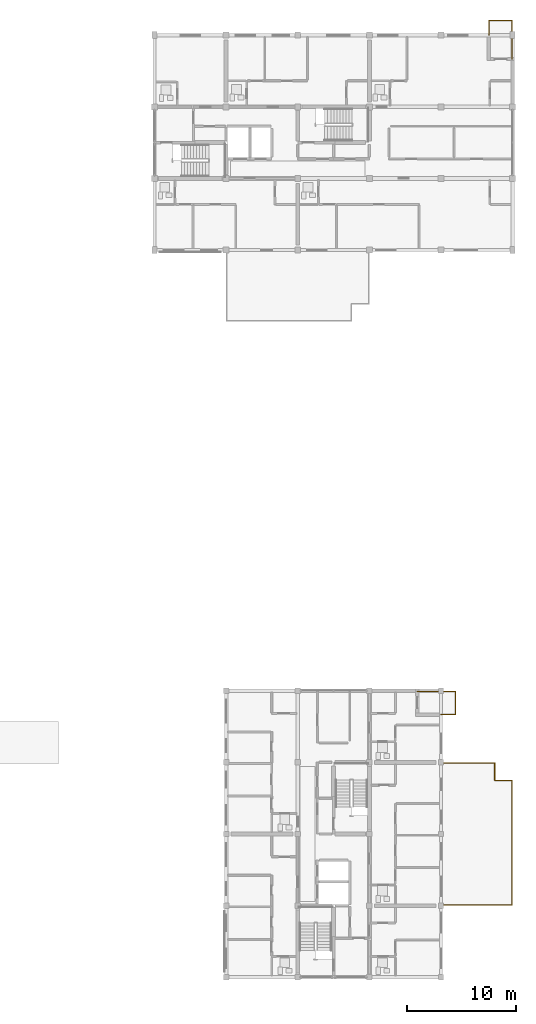
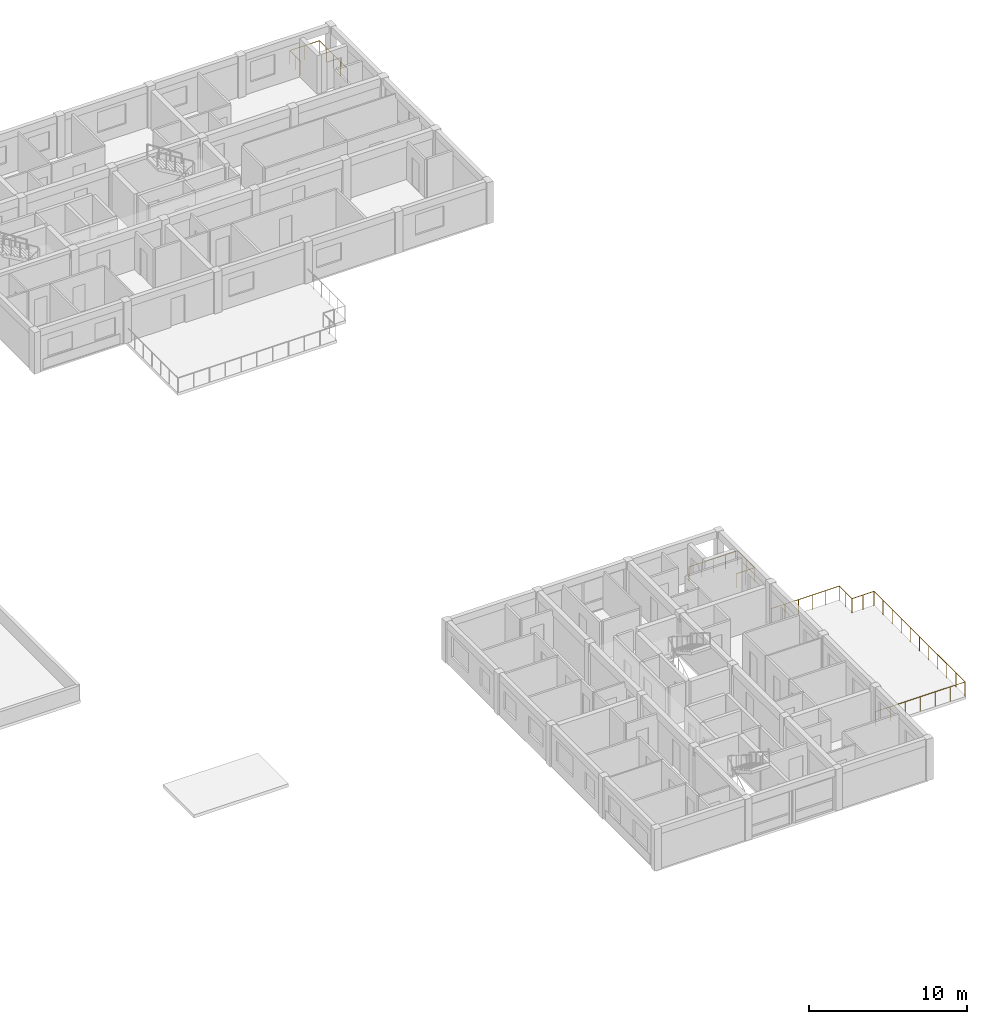
# One storey, part 50 of 51: 3 railings.
"""IFC4 building model written with IfcOpenShell, lengths in metres."""

from ifc_helpers import new_model, si_unit, direction, frame, origin, origin_2d, place, context, subcontext, project, spatial, circle, extrude, material, type_object, element, save


model = new_model("IFC4")

# Units and contexts
model_context = context("Model", 3, precision=1e-05, world=origin(), true_north=direction((0.0, 1.0)))
body_context = subcontext(model_context, "Body", "Model", "MODEL_VIEW")
ifc_project = project(units=[si_unit("LENGTHUNIT", "METRE"), si_unit("AREAUNIT", "SQUARE_METRE"), si_unit("VOLUMEUNIT", "CUBIC_METRE"), si_unit("PLANEANGLEUNIT", "RADIAN"), si_unit("MASSUNIT", "GRAM", prefix="KILO")], contexts=[model_context])

# Site, building, storey
site_placement = place(None, origin())
site = spatial("IfcSite", under=ifc_project, at=site_placement, CompositionType="ELEMENT")
building_placement = place(site_placement, origin())
building = spatial("IfcBuilding", under=site, at=building_placement, Name="Kernevlak Ridge Housing Community", CompositionType="ELEMENT")
storey_placement = place(building_placement, frame((0.0, 0.0, 8.39990234375)))
storey = spatial("IfcBuildingStorey", under=building, at=storey_placement, Name="L02", CompositionType="ELEMENT", Elevation=8.39990234375)

# Railings
ifc_material = material(Name="Steel S355", Category="steel")
railing_type_1 = type_object("IfcRailingType", Name="BL-01", PredefinedType="BALUSTRADE", material=ifc_material)
railing_1_placement = place(storey_placement, frame((150.199951171875, 102.39990234375, 0.0)))
element("IfcRailing", 1, at=railing_1_placement, inside=storey, type_object=railing_type_1, Name="Block B L02 balcony balustrade BL-01 19", PredefinedType="BALUSTRADE", context=body_context, shape_type="SweptSolid", body=[
    extrude(circle(Radius=0.02392578125, at=origin_2d()), frame((0.0, 0.0, 1.076171875), z_axis=(0.0, 1.0, 0.0), x_axis=(-1.0, 0.0, 0.0)), (0.0, 0.0, 1.0), 1.35009765625),
    extrude(circle(Radius=0.02392578125, at=origin_2d()), frame((0.0, 1.35009765625, 1.076171875), z_axis=(1.0, 0.0, 0.0), x_axis=(0.0, 1.0, 0.0)), (0.0, 0.0, 1.0), 2.150146484375),
    extrude(circle(Radius=0.02392578125, at=origin_2d()), frame((2.150146484375, 1.35009765625, 1.076171875), z_axis=(0.0, -1.0, 0.0), x_axis=(1.0, 0.0, 0.0)), (0.0, 0.0, 1.0), 3.550048828125),
    extrude(circle(Radius=0.02099609375, at=origin_2d()), origin(), (0.0, 0.0, 1.0), 1.052001953125),
    extrude(circle(Radius=0.02099609375, at=origin_2d()), frame((0.0, 0.675048828125, 0.0)), (0.0, 0.0, 1.0), 1.052001953125),
    extrude(circle(Radius=0.02099609375, at=origin_2d()), frame((0.0, 1.35009765625, 0.0)), (0.0, 0.0, 1.0), 1.052001953125),
    extrude(circle(Radius=0.02099609375, at=origin_2d()), frame((1.0751953125, 1.35009765625, 0.0)), (0.0, 0.0, 1.0), 1.052001953125),
    extrude(circle(Radius=0.02099609375, at=origin_2d()), frame((2.150146484375, 1.35009765625, 0.0)), (0.0, 0.0, 1.0), 1.052001953125),
    extrude(circle(Radius=0.02099609375, at=origin_2d()), frame((2.150146484375, 0.462646484375, 0.0)), (0.0, 0.0, 1.0), 1.052001953125),
    extrude(circle(Radius=0.02099609375, at=origin_2d()), frame((2.150146484375, -0.4248046875, 0.0)), (0.0, 0.0, 1.0), 1.052001953125),
    extrude(circle(Radius=0.02099609375, at=origin_2d()), frame((2.150146484375, -1.3125, 0.0)), (0.0, 0.0, 1.0), 1.052001953125),
    extrude(circle(Radius=0.02099609375, at=origin_2d()), frame((2.150146484375, -2.199951171875, 0.0)), (0.0, 0.0, 1.0), 1.052001953125),
])
railing_2_placement = place(storey_placement, frame((145.800048828125, 39.800048828125, 0.0)))
element("IfcRailing", 2, at=railing_2_placement, inside=storey, type_object=railing_type_1, Name="Block C L02 balcony balustrade BL-01 34", PredefinedType="BALUSTRADE", context=body_context, shape_type="SweptSolid", body=[
    extrude(circle(Radius=0.02392578125, at=origin_2d()), frame((0.0, 0.0, 1.076171875), z_axis=(1.0, 0.0, 0.0), x_axis=(0.0, 1.0, 0.0)), (0.0, 0.0, 1.0), 1.349853515625),
    extrude(circle(Radius=0.02392578125, at=origin_2d()), frame((1.349853515625, 0.0, 1.076171875), z_axis=(0.0, 1.0, 0.0), x_axis=(-1.0, 0.0, 0.0)), (0.0, 0.0, 1.0), 2.14990234375),
    extrude(circle(Radius=0.02392578125, at=origin_2d()), frame((1.349853515625, 2.14990234375, 1.076171875), z_axis=(-1.0, 0.0, 0.0), x_axis=(0.0, -1.0, 0.0)), (0.0, 0.0, 1.0), 3.5498046875),
    extrude(circle(Radius=0.02099609375, at=origin_2d()), origin(), (0.0, 0.0, 1.0), 1.052001953125),
    extrude(circle(Radius=0.02099609375, at=origin_2d()), frame((0.6748046875, 0.0, 0.0)), (0.0, 0.0, 1.0), 1.052001953125),
    extrude(circle(Radius=0.02099609375, at=origin_2d()), frame((1.349853515625, 0.0, 0.0)), (0.0, 0.0, 1.0), 1.052001953125),
    extrude(circle(Radius=0.02099609375, at=origin_2d()), frame((1.349853515625, 1.074951171875, 0.0)), (0.0, 0.0, 1.0), 1.052001953125),
    extrude(circle(Radius=0.02099609375, at=origin_2d()), frame((1.349853515625, 2.14990234375, 0.0)), (0.0, 0.0, 1.0), 1.052001953125),
    extrude(circle(Radius=0.02099609375, at=origin_2d()), frame((0.46240234375, 2.14990234375, 0.0)), (0.0, 0.0, 1.0), 1.052001953125),
    extrude(circle(Radius=0.02099609375, at=origin_2d()), frame((-0.425048828125, 2.14990234375, 0.0)), (0.0, 0.0, 1.0), 1.052001953125),
    extrude(circle(Radius=0.02099609375, at=origin_2d()), frame((-1.3125, 2.14990234375, 0.0)), (0.0, 0.0, 1.0), 1.052001953125),
    extrude(circle(Radius=0.02099609375, at=origin_2d()), frame((-2.199951171875, 2.14990234375, 0.0)), (0.0, 0.0, 1.0), 1.052001953125),
])
railing_type_2 = type_object("IfcRailingType", Name="GR-01", PredefinedType="GUARDRAIL", material=ifc_material)
railing_3_placement = place(storey_placement, frame((145.800048828125, 22.25, 0.0)))
element("IfcRailing", 3, at=railing_3_placement, inside=storey, type_object=railing_type_2, Name="Block C L02 podium terrace guard GR-01 35", PredefinedType="GUARDRAIL", context=body_context, shape_type="SweptSolid", body=[
    extrude(circle(Radius=0.02392578125, at=origin_2d()), frame((0.0, 0.0, 1.09619140625), z_axis=(1.0, 0.0, 0.0), x_axis=(0.0, 1.0, 0.0)), (0.0, 0.0, 1.0), 6.550048828125),
    extrude(circle(Radius=0.02392578125, at=origin_2d()), frame((6.550048828125, 0.0, 1.09619140625), z_axis=(0.0, 1.0, 0.0), x_axis=(-1.0, 0.0, 0.0)), (0.0, 0.0, 1.0), 11.5),
    extrude(circle(Radius=0.02392578125, at=origin_2d()), frame((6.550048828125, 11.5, 1.09619140625), z_axis=(-1.0, 0.0, 0.0), x_axis=(0.0, -1.0, 0.0)), (0.0, 0.0, 1.0), 1.60009765625),
    extrude(circle(Radius=0.02392578125, at=origin_2d()), frame((4.949951171875, 11.5, 1.09619140625), z_axis=(0.0, 1.0, 0.0), x_axis=(-1.0, 0.0, 0.0)), (0.0, 0.0, 1.0), 1.60009765625),
    extrude(circle(Radius=0.02392578125, at=origin_2d()), frame((4.949951171875, 13.10009765625, 1.09619140625), z_axis=(-1.0, 0.0, 0.0), x_axis=(0.0, -1.0, 0.0)), (0.0, 0.0, 1.0), 4.949951171875),
    extrude(circle(Radius=0.02099609375, at=origin_2d()), origin(), (0.0, 0.0, 1.0), 1.072021484375),
    extrude(circle(Radius=0.02099609375, at=origin_2d()), frame((1.091796875, 0.0, 0.0)), (0.0, 0.0, 1.0), 1.072021484375),
    extrude(circle(Radius=0.02099609375, at=origin_2d()), frame((2.183349609375, 0.0, 0.0)), (0.0, 0.0, 1.0), 1.072021484375),
    extrude(circle(Radius=0.02099609375, at=origin_2d()), frame((3.27490234375, 0.0, 0.0)), (0.0, 0.0, 1.0), 1.072021484375),
    extrude(circle(Radius=0.02099609375, at=origin_2d()), frame((4.36669921875, 0.0, 0.0)), (0.0, 0.0, 1.0), 1.072021484375),
    extrude(circle(Radius=0.02099609375, at=origin_2d()), frame((5.45849609375, 0.0, 0.0)), (0.0, 0.0, 1.0), 1.072021484375),
    extrude(circle(Radius=0.02099609375, at=origin_2d()), frame((6.550048828125, 0.0, 0.0)), (0.0, 0.0, 1.0), 1.072021484375),
    extrude(circle(Radius=0.02099609375, at=origin_2d()), frame((6.550048828125, 1.14990234375, 0.0)), (0.0, 0.0, 1.0), 1.072021484375),
    extrude(circle(Radius=0.02099609375, at=origin_2d()), frame((6.550048828125, 2.300048828125, 0.0)), (0.0, 0.0, 1.0), 1.072021484375),
    extrude(circle(Radius=0.02099609375, at=origin_2d()), frame((6.550048828125, 3.449951171875, 0.0)), (0.0, 0.0, 1.0), 1.072021484375),
    extrude(circle(Radius=0.02099609375, at=origin_2d()), frame((6.550048828125, 4.60009765625, 0.0)), (0.0, 0.0, 1.0), 1.072021484375),
    extrude(circle(Radius=0.02099609375, at=origin_2d()), frame((6.550048828125, 5.75, 0.0)), (0.0, 0.0, 1.0), 1.072021484375),
    extrude(circle(Radius=0.02099609375, at=origin_2d()), frame((6.550048828125, 6.89990234375, 0.0)), (0.0, 0.0, 1.0), 1.072021484375),
    extrude(circle(Radius=0.02099609375, at=origin_2d()), frame((6.550048828125, 8.050048828125, 0.0)), (0.0, 0.0, 1.0), 1.072021484375),
    extrude(circle(Radius=0.02099609375, at=origin_2d()), frame((6.550048828125, 9.199951171875, 0.0)), (0.0, 0.0, 1.0), 1.072021484375),
    extrude(circle(Radius=0.02099609375, at=origin_2d()), frame((6.550048828125, 10.35009765625, 0.0)), (0.0, 0.0, 1.0), 1.072021484375),
    extrude(circle(Radius=0.02099609375, at=origin_2d()), frame((6.550048828125, 11.5, 0.0)), (0.0, 0.0, 1.0), 1.072021484375),
    extrude(circle(Radius=0.02099609375, at=origin_2d()), frame((5.75, 11.5, 0.0)), (0.0, 0.0, 1.0), 1.072021484375),
    extrude(circle(Radius=0.02099609375, at=origin_2d()), frame((4.949951171875, 11.5, 0.0)), (0.0, 0.0, 1.0), 1.072021484375),
    extrude(circle(Radius=0.02099609375, at=origin_2d()), frame((4.949951171875, 12.300048828125, 0.0)), (0.0, 0.0, 1.0), 1.072021484375),
    extrude(circle(Radius=0.02099609375, at=origin_2d()), frame((4.949951171875, 13.10009765625, 0.0)), (0.0, 0.0, 1.0), 1.072021484375),
    extrude(circle(Radius=0.02099609375, at=origin_2d()), frame((3.9599609375, 13.10009765625, 0.0)), (0.0, 0.0, 1.0), 1.072021484375),
    extrude(circle(Radius=0.02099609375, at=origin_2d()), frame((2.969970703125, 13.10009765625, 0.0)), (0.0, 0.0, 1.0), 1.072021484375),
    extrude(circle(Radius=0.02099609375, at=origin_2d()), frame((1.97998046875, 13.10009765625, 0.0)), (0.0, 0.0, 1.0), 1.072021484375),
    extrude(circle(Radius=0.02099609375, at=origin_2d()), frame((0.989990234375, 13.10009765625, 0.0)), (0.0, 0.0, 1.0), 1.072021484375),
    extrude(circle(Radius=0.02099609375, at=origin_2d()), frame((0.0, 13.10009765625, 0.0)), (0.0, 0.0, 1.0), 1.072021484375),
])

save(model, "model.ifc")
